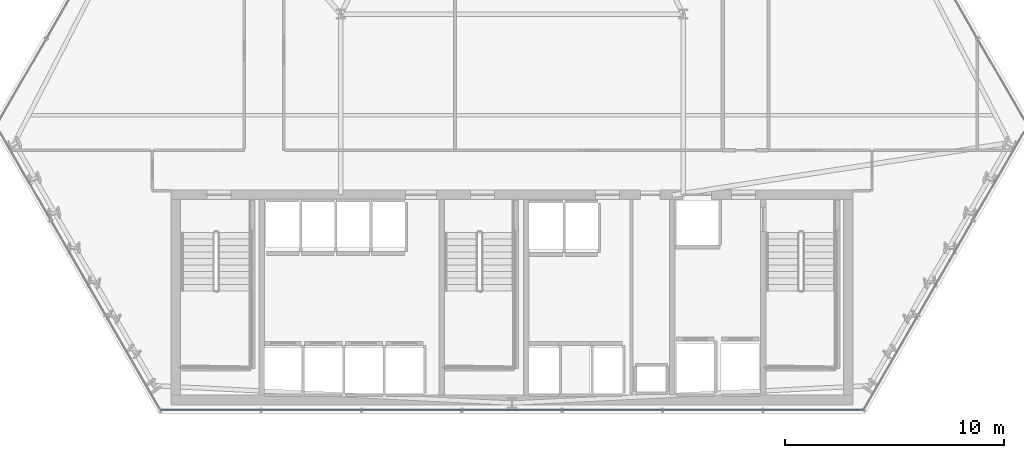
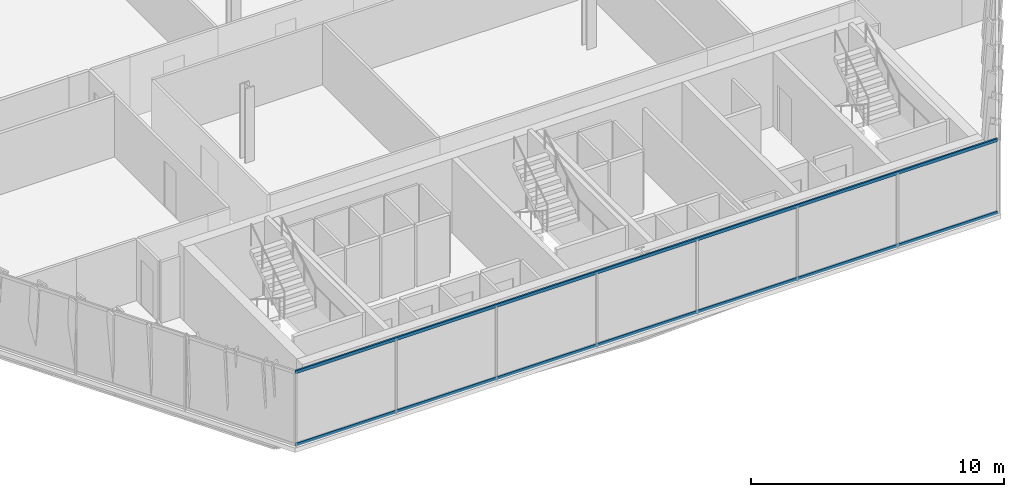
# One storey, part 8 of 32: 2 members, 1 element without a shape of its own.
"""IFC4 building model written with IfcOpenShell, lengths in metres."""

from ifc_helpers import new_model, si_unit, direction, frame, origin, origin_2d, place, context, subcontext, project, spatial, hollow_rectangle, extrude, material, layer, layer_set, material_profile, profile_set, type_object, element, aggregate, save


model = new_model("IFC4")

# Units and contexts
model_context = context("Model", 3, precision=1e-05, world=origin(), true_north=direction((0.0, 1.0)))
body_context = subcontext(model_context, "Body", "Model", "MODEL_VIEW")
ifc_project = project(units=[si_unit("LENGTHUNIT", "METRE"), si_unit("AREAUNIT", "SQUARE_METRE"), si_unit("VOLUMEUNIT", "CUBIC_METRE"), si_unit("PLANEANGLEUNIT", "RADIAN"), si_unit("MASSUNIT", "GRAM", prefix="KILO")], contexts=[model_context])

# Site, building, storey
site_placement = place(None, origin())
site = spatial("IfcSite", under=ifc_project, at=site_placement, CompositionType="ELEMENT")
building_placement = place(site_placement, origin())
building = spatial("IfcBuilding", under=site, at=building_placement, Name="Ndaravel Arena Tower", CompositionType="ELEMENT")
storey_placement = place(building_placement, frame((0.0, 0.0, 77.800048828125)))
storey = spatial("IfcBuildingStorey", under=building, at=storey_placement, Name="L17", CompositionType="ELEMENT", Elevation=77.800048828125)

# Curtain wall, members
ifc_material_1 = material(Name="Aluminium", Category="aluminium")
ifc_layer = layer(ifc_material_1, 0.179931640625)
ifc_layer_set = layer_set([ifc_layer], Name="Aluminium")
curtain_wall_type = type_object("IfcCurtainWallType", Name="CW-SYS-03", PredefinedType="NOTDEFINED", material=ifc_layer_set)
curtain_wall_placement = place(storey_placement, origin())
curtain_wall = element("IfcCurtainWall", 1, at=curtain_wall_placement, inside=storey, type_object=curtain_wall_type, Name="L17 Faceted Crystal Curtain Wall CW-L17-E01", PredefinedType="NOTDEFINED")
ifc_material_2 = material(Name="Aluminium", Category="aluminium")
ifc_material_profile = material_profile(ifc_material_2, hollow_rectangle(XDim=0.074951171875, YDim=0.14990234375, WallThickness=0.00390625, at=origin_2d()), Name="CW TRANSOM 75x150x4")
ifc_profile_set = profile_set([ifc_material_profile], Name="Aluminium")
member_type = type_object("IfcMemberType", Name="MEM-CW-TRN150", PredefinedType="USERDEFINED", material=ifc_profile_set)
member_1_placement = place(storey_placement, frame((25.985107421875, 5.159912109375, 0.0400390625), z_axis=(1.0, 0.0, 0.0), x_axis=(0.0, 1.0, 0.0)))
member_1 = element("IfcMember", 2, at=member_1_placement, type_object=member_type, Name="CW-L17-E01 Transom 01", ObjectType="TRANSOM", PredefinedType="USERDEFINED", context=body_context, shape_type="SweptSolid", body=[
    extrude(hollow_rectangle(XDim=0.074951171875, YDim=0.14990234375, WallThickness=0.00390625, at=origin_2d()), origin(), (0.0, 0.0, 1.0), 32.02978515625),
])
member_2_placement = place(storey_placement, frame((25.985107421875, 5.159912109375, 3.5400390625), z_axis=(1.0, 0.0, 0.0), x_axis=(0.0, 1.0, 0.0)))
member_2 = element("IfcMember", 3, at=member_2_placement, type_object=member_type, Name="CW-L17-E01 Transom 02", ObjectType="TRANSOM", PredefinedType="USERDEFINED", context=body_context, shape_type="SweptSolid", body=[
    extrude(hollow_rectangle(XDim=0.074951171875, YDim=0.14990234375, WallThickness=0.00390625, at=origin_2d()), origin(), (0.0, 0.0, 1.0), 32.02978515625),
])
aggregate(curtain_wall, [member_1, member_2])

save(model, "model.ifc")
